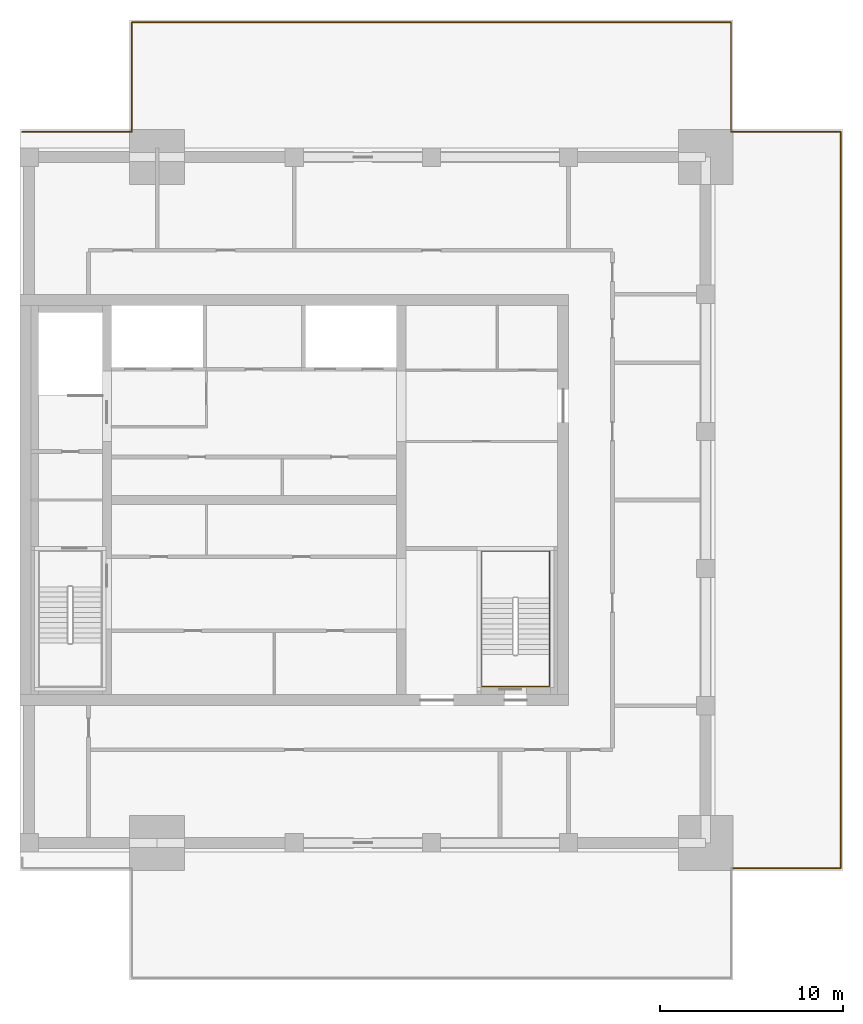
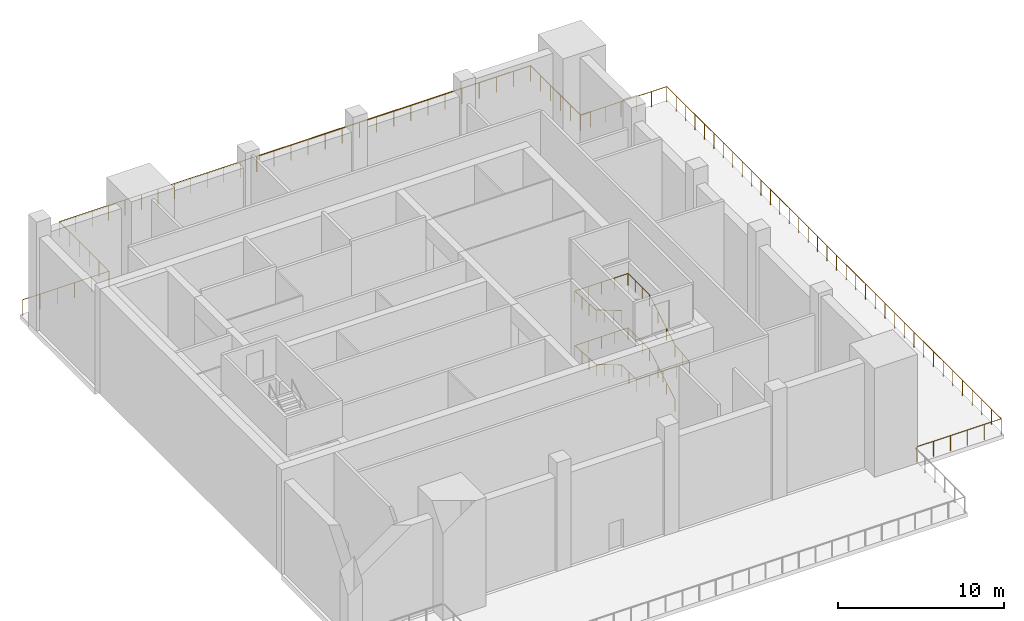
# One storey, part 7 of 7: 5 railings.
"""IFC4 building model written with IfcOpenShell, lengths in metres."""

from ifc_helpers import new_model, si_unit, direction, frame, origin, origin_2d, place, context, subcontext, project, spatial, circle, extrude, material, type_object, element, save


model = new_model("IFC4")

# Units and contexts
model_context = context("Model", 3, precision=1e-05, world=origin(), true_north=direction((0.0, 1.0)))
body_context = subcontext(model_context, "Body", "Model", "MODEL_VIEW")
ifc_project = project(units=[si_unit("LENGTHUNIT", "METRE"), si_unit("AREAUNIT", "SQUARE_METRE"), si_unit("VOLUMEUNIT", "CUBIC_METRE"), si_unit("PLANEANGLEUNIT", "RADIAN"), si_unit("MASSUNIT", "GRAM", prefix="KILO")], contexts=[model_context])

# Site, building, storey
site_placement = place(None, origin())
site = spatial("IfcSite", under=ifc_project, at=site_placement, CompositionType="ELEMENT")
building_placement = place(site_placement, origin())
building = spatial("IfcBuilding", under=site, at=building_placement, Name="Tamorin Gate", CompositionType="ELEMENT")
storey_placement = place(building_placement, frame((0.0, 0.0, 320.199951171875)))
storey = spatial("IfcBuildingStorey", under=building, at=storey_placement, Name="L78", CompositionType="ELEMENT", Elevation=320.199951171875)

# Railings
ifc_material_1 = material(Name="Painted steel handrail", Category="steel")
railing_type_1 = type_object("IfcRailingType", Name="Stair handrail 900", PredefinedType="HANDRAIL", material=ifc_material_1)
railing_1_placement = place(storey_placement, frame((58.949951171875, 62.800048828125, 0.166748046875)))
element("IfcRailing", 1, at=railing_1_placement, inside=storey, type_object=railing_type_1, Name="L78 ST3 stair handrail 1", PredefinedType="HANDRAIL", context=body_context, shape_type="SweptSolid", body=[
    extrude(circle(Radius=0.02392578125, at=origin_2d()), frame((0.0, 0.0, 0.8759765625), z_axis=(0.0, 0.859290745958, 0.51148745235), x_axis=(-1.0, 0.0, 0.0)), (0.0, 0.0, 1.0), 3.584228515625),
    extrude(circle(Radius=0.02392578125, at=origin_2d()), frame((0.0, 3.079833984375, 2.708984375), z_axis=(0.0, 1.0, 0.0), x_axis=(-1.0, 0.0, 0.0)), (0.0, 0.0, 1.0), 2.570068359375),
    extrude(circle(Radius=0.02392578125, at=origin_2d()), frame((0.0, 5.64990234375, 2.708984375), z_axis=(-1.0, 0.0, 0.0), x_axis=(0.0, -1.0, 0.0)), (0.0, 0.0, 1.0), 3.699951171875),
    extrude(circle(Radius=0.02392578125, at=origin_2d()), frame((-3.699951171875, 5.64990234375, 2.708984375), z_axis=(0.0, -0.9979018638, 0.06474465403), x_axis=(1.0, 0.0, 0.0)), (0.0, 0.0, 1.0), 2.575439453125),
    extrude(circle(Radius=0.02392578125, at=origin_2d()), frame((-3.699951171875, 3.079833984375, 2.8759765625), z_axis=(0.0, -0.859290745958, 0.51148745235), x_axis=(1.0, 0.0, 0.0)), (0.0, 0.0, 1.0), 3.584228515625),
    extrude(circle(Radius=0.02392578125, at=origin_2d()), frame((-3.699951171875, 0.0, 4.708984375), z_axis=(0.0, -1.0, 0.0), x_axis=(1.0, 0.0, 0.0)), (0.0, 0.0, 1.0), 1.75),
    extrude(circle(Radius=0.02392578125, at=origin_2d()), frame((-3.699951171875, -1.75, 4.708984375), z_axis=(1.0, 0.0, 0.0), x_axis=(0.0, 1.0, 0.0)), (0.0, 0.0, 1.0), 3.699951171875),
    extrude(circle(Radius=0.02392578125, at=origin_2d()), frame((0.0, -1.75, 4.708984375), z_axis=(0.0, 0.995491102282, 0.094854969707), x_axis=(-1.0, 0.0, 0.0)), (0.0, 0.0, 1.0), 1.7578125),
    extrude(circle(Radius=0.02392578125, at=origin_2d()), frame((0.0, 0.0, 4.8759765625), z_axis=(0.0, 0.859290745958, 0.51148745235), x_axis=(-1.0, 0.0, 0.0)), (0.0, 0.0, 1.0), 3.584228515625),
    extrude(circle(Radius=0.02392578125, at=origin_2d()), frame((0.0, 3.079833984375, 6.708984375), z_axis=(0.0, 1.0, 0.0), x_axis=(-1.0, 0.0, 0.0)), (0.0, 0.0, 1.0), 2.570068359375),
    extrude(circle(Radius=0.02392578125, at=origin_2d()), frame((0.0, 5.64990234375, 6.708984375), z_axis=(-1.0, 0.0, 0.0), x_axis=(0.0, -1.0, 0.0)), (0.0, 0.0, 1.0), 3.699951171875),
    extrude(circle(Radius=0.02392578125, at=origin_2d()), frame((-3.699951171875, 5.64990234375, 6.708984375), z_axis=(0.0, -0.9979018638, 0.06474465403), x_axis=(1.0, 0.0, 0.0)), (0.0, 0.0, 1.0), 2.575439453125),
    extrude(circle(Radius=0.02392578125, at=origin_2d()), frame((-3.699951171875, 3.079833984375, 6.8759765625), z_axis=(0.0, -0.859290745958, 0.51148745235), x_axis=(1.0, 0.0, 0.0)), (0.0, 0.0, 1.0), 3.584228515625),
    extrude(circle(Radius=0.02099609375, at=origin_2d()), origin(), (0.0, 0.0, 1.0), 0.851806640625),
    extrude(circle(Radius=0.02099609375, at=origin_2d()), frame((0.0, 1.026611328125, 0.611083984375)), (0.0, 0.0, 1.0), 0.851806640625),
    extrude(circle(Radius=0.02099609375, at=origin_2d()), frame((0.0, 2.05322265625, 1.22216796875)), (0.0, 0.0, 1.0), 0.851806640625),
    extrude(circle(Radius=0.02099609375, at=origin_2d()), frame((0.0, 3.079833984375, 1.833251953125)), (0.0, 0.0, 1.0), 0.851806640625),
    extrude(circle(Radius=0.02099609375, at=origin_2d()), frame((0.0, 3.9365234375, 1.833251953125)), (0.0, 0.0, 1.0), 0.851806640625),
    extrude(circle(Radius=0.02099609375, at=origin_2d()), frame((0.0, 4.793212890625, 1.833251953125)), (0.0, 0.0, 1.0), 0.851806640625),
    extrude(circle(Radius=0.02099609375, at=origin_2d()), frame((0.0, 5.64990234375, 1.833251953125)), (0.0, 0.0, 1.0), 0.851806640625),
    extrude(circle(Radius=0.02099609375, at=origin_2d()), frame((-0.925048828125, 5.64990234375, 1.833251953125)), (0.0, 0.0, 1.0), 0.851806640625),
    extrude(circle(Radius=0.02099609375, at=origin_2d()), frame((-1.85009765625, 5.64990234375, 1.833251953125)), (0.0, 0.0, 1.0), 0.851806640625),
    extrude(circle(Radius=0.02099609375, at=origin_2d()), frame((-2.77490234375, 5.64990234375, 1.833251953125)), (0.0, 0.0, 1.0), 0.851806640625),
    extrude(circle(Radius=0.02099609375, at=origin_2d()), frame((-3.699951171875, 5.64990234375, 1.833251953125)), (0.0, 0.0, 1.0), 0.851806640625),
    extrude(circle(Radius=0.02099609375, at=origin_2d()), frame((-3.699951171875, 4.793212890625, 1.888916015625)), (0.0, 0.0, 1.0), 0.851806640625),
    extrude(circle(Radius=0.02099609375, at=origin_2d()), frame((-3.699951171875, 3.9365234375, 1.9443359375)), (0.0, 0.0, 1.0), 0.851806640625),
    extrude(circle(Radius=0.02099609375, at=origin_2d()), frame((-3.699951171875, 3.079833984375, 2.0)), (0.0, 0.0, 1.0), 0.851806640625),
    extrude(circle(Radius=0.02099609375, at=origin_2d()), frame((-3.699951171875, 2.05322265625, 2.611083984375)), (0.0, 0.0, 1.0), 0.851806640625),
    extrude(circle(Radius=0.02099609375, at=origin_2d()), frame((-3.699951171875, 1.026611328125, 3.22216796875)), (0.0, 0.0, 1.0), 0.851806640625),
    extrude(circle(Radius=0.02099609375, at=origin_2d()), frame((-3.699951171875, 0.0, 3.833251953125)), (0.0, 0.0, 1.0), 0.851806640625),
    extrude(circle(Radius=0.02099609375, at=origin_2d()), frame((-3.699951171875, -0.875, 3.833251953125)), (0.0, 0.0, 1.0), 0.851806640625),
    extrude(circle(Radius=0.02099609375, at=origin_2d()), frame((-3.699951171875, -1.75, 3.833251953125)), (0.0, 0.0, 1.0), 0.851806640625),
    extrude(circle(Radius=0.02099609375, at=origin_2d()), frame((-2.77490234375, -1.75, 3.833251953125)), (0.0, 0.0, 1.0), 0.851806640625),
    extrude(circle(Radius=0.02099609375, at=origin_2d()), frame((-1.85009765625, -1.75, 3.833251953125)), (0.0, 0.0, 1.0), 0.851806640625),
    extrude(circle(Radius=0.02099609375, at=origin_2d()), frame((-0.925048828125, -1.75, 3.833251953125)), (0.0, 0.0, 1.0), 0.851806640625),
    extrude(circle(Radius=0.02099609375, at=origin_2d()), frame((0.0, -1.75, 3.833251953125)), (0.0, 0.0, 1.0), 0.851806640625),
    extrude(circle(Radius=0.02099609375, at=origin_2d()), frame((0.0, -0.875, 3.91650390625)), (0.0, 0.0, 1.0), 0.851806640625),
    extrude(circle(Radius=0.02099609375, at=origin_2d()), frame((0.0, 0.0, 4.0)), (0.0, 0.0, 1.0), 0.851806640625),
    extrude(circle(Radius=0.02099609375, at=origin_2d()), frame((0.0, 1.026611328125, 4.611083984375)), (0.0, 0.0, 1.0), 0.851806640625),
    extrude(circle(Radius=0.02099609375, at=origin_2d()), frame((0.0, 2.05322265625, 5.22216796875)), (0.0, 0.0, 1.0), 0.851806640625),
    extrude(circle(Radius=0.02099609375, at=origin_2d()), frame((0.0, 3.079833984375, 5.833251953125)), (0.0, 0.0, 1.0), 0.851806640625),
    extrude(circle(Radius=0.02099609375, at=origin_2d()), frame((0.0, 3.9365234375, 5.833251953125)), (0.0, 0.0, 1.0), 0.851806640625),
    extrude(circle(Radius=0.02099609375, at=origin_2d()), frame((0.0, 4.793212890625, 5.833251953125)), (0.0, 0.0, 1.0), 0.851806640625),
    extrude(circle(Radius=0.02099609375, at=origin_2d()), frame((0.0, 5.64990234375, 5.833251953125)), (0.0, 0.0, 1.0), 0.851806640625),
    extrude(circle(Radius=0.02099609375, at=origin_2d()), frame((-0.925048828125, 5.64990234375, 5.833251953125)), (0.0, 0.0, 1.0), 0.851806640625),
    extrude(circle(Radius=0.02099609375, at=origin_2d()), frame((-1.85009765625, 5.64990234375, 5.833251953125)), (0.0, 0.0, 1.0), 0.851806640625),
    extrude(circle(Radius=0.02099609375, at=origin_2d()), frame((-2.77490234375, 5.64990234375, 5.833251953125)), (0.0, 0.0, 1.0), 0.851806640625),
    extrude(circle(Radius=0.02099609375, at=origin_2d()), frame((-3.699951171875, 5.64990234375, 5.833251953125)), (0.0, 0.0, 1.0), 0.851806640625),
    extrude(circle(Radius=0.02099609375, at=origin_2d()), frame((-3.699951171875, 4.793212890625, 5.888916015625)), (0.0, 0.0, 1.0), 0.851806640625),
    extrude(circle(Radius=0.02099609375, at=origin_2d()), frame((-3.699951171875, 3.9365234375, 5.9443359375)), (0.0, 0.0, 1.0), 0.851806640625),
    extrude(circle(Radius=0.02099609375, at=origin_2d()), frame((-3.699951171875, 3.079833984375, 6.0)), (0.0, 0.0, 1.0), 0.851806640625),
    extrude(circle(Radius=0.02099609375, at=origin_2d()), frame((-3.699951171875, 2.05322265625, 6.611083984375)), (0.0, 0.0, 1.0), 0.851806640625),
    extrude(circle(Radius=0.02099609375, at=origin_2d()), frame((-3.699951171875, 1.026611328125, 7.22216796875)), (0.0, 0.0, 1.0), 0.851806640625),
    extrude(circle(Radius=0.02099609375, at=origin_2d()), frame((-3.699951171875, 0.0, 7.833251953125)), (0.0, 0.0, 1.0), 0.851806640625),
])
ifc_material_2 = material(Name="Stainless steel", Category="steel")
railing_type_2 = type_object("IfcRailingType", Name="Terrace guard 1150", PredefinedType="GUARDRAIL", material=ifc_material_2)
railing_2_placement = place(storey_placement, frame((30.1201171875, 91.3798828125, 0.0)))
element("IfcRailing", 2, at=railing_2_placement, inside=storey, type_object=railing_type_2, Name="Terrace guard", PredefinedType="GUARDRAIL", context=body_context, shape_type="SweptSolid", body=[
    extrude(circle(Radius=0.02392578125, at=origin_2d()), frame((0.0, 0.0, 1.1259765625), z_axis=(1.0, 0.0, 0.0), x_axis=(0.0, 1.0, 0.0)), (0.0, 0.0, 1.0), 6.0),
    extrude(circle(Radius=0.02392578125, at=origin_2d()), frame((6.0, 0.0, 1.1259765625), z_axis=(0.0, 1.0, 0.0), x_axis=(-1.0, 0.0, 0.0)), (0.0, 0.0, 1.0), 6.0),
    extrude(circle(Radius=0.02392578125, at=origin_2d()), frame((6.0, 6.0, 1.1259765625), z_axis=(1.0, 0.0, 0.0), x_axis=(0.0, 1.0, 0.0)), (0.0, 0.0, 1.0), 13.7265625),
    extrude(circle(Radius=0.02099609375, at=origin_2d()), origin(), (0.0, 0.0, 1.0), 1.101806640625),
    extrude(circle(Radius=0.02099609375, at=origin_2d()), frame((1.199951171875, 0.0, 0.0)), (0.0, 0.0, 1.0), 1.101806640625),
    extrude(circle(Radius=0.02099609375, at=origin_2d()), frame((2.39990234375, 0.0, 0.0)), (0.0, 0.0, 1.0), 1.101806640625),
    extrude(circle(Radius=0.02099609375, at=origin_2d()), frame((3.60009765625, 0.0, 0.0)), (0.0, 0.0, 1.0), 1.101806640625),
    extrude(circle(Radius=0.02099609375, at=origin_2d()), frame((4.800048828125, 0.0, 0.0)), (0.0, 0.0, 1.0), 1.101806640625),
    extrude(circle(Radius=0.02099609375, at=origin_2d()), frame((6.0, 0.0, 0.0)), (0.0, 0.0, 1.0), 1.101806640625),
    extrude(circle(Radius=0.02099609375, at=origin_2d()), frame((6.0, 1.199951171875, 0.0)), (0.0, 0.0, 1.0), 1.101806640625),
    extrude(circle(Radius=0.02099609375, at=origin_2d()), frame((6.0, 2.39990234375, 0.0)), (0.0, 0.0, 1.0), 1.101806640625),
    extrude(circle(Radius=0.02099609375, at=origin_2d()), frame((6.0, 3.60009765625, 0.0)), (0.0, 0.0, 1.0), 1.101806640625),
    extrude(circle(Radius=0.02099609375, at=origin_2d()), frame((6.0, 4.800048828125, 0.0)), (0.0, 0.0, 1.0), 1.101806640625),
    extrude(circle(Radius=0.02099609375, at=origin_2d()), frame((6.0, 6.0, 0.0)), (0.0, 0.0, 1.0), 1.101806640625),
    extrude(circle(Radius=0.02099609375, at=origin_2d()), frame((7.143798828125, 6.0, 0.0)), (0.0, 0.0, 1.0), 1.101806640625),
    extrude(circle(Radius=0.02099609375, at=origin_2d()), frame((8.287841796875, 6.0, 0.0)), (0.0, 0.0, 1.0), 1.101806640625),
    extrude(circle(Radius=0.02099609375, at=origin_2d()), frame((9.431640625, 6.0, 0.0)), (0.0, 0.0, 1.0), 1.101806640625),
    extrude(circle(Radius=0.02099609375, at=origin_2d()), frame((10.575439453125, 6.0, 0.0)), (0.0, 0.0, 1.0), 1.101806640625),
    extrude(circle(Radius=0.02099609375, at=origin_2d()), frame((11.719482421875, 6.0, 0.0)), (0.0, 0.0, 1.0), 1.101806640625),
    extrude(circle(Radius=0.02099609375, at=origin_2d()), frame((12.86328125, 6.0, 0.0)), (0.0, 0.0, 1.0), 1.101806640625),
    extrude(circle(Radius=0.02099609375, at=origin_2d()), frame((14.007080078125, 6.0, 0.0)), (0.0, 0.0, 1.0), 1.101806640625),
    extrude(circle(Radius=0.02099609375, at=origin_2d()), frame((15.151123046875, 6.0, 0.0)), (0.0, 0.0, 1.0), 1.101806640625),
    extrude(circle(Radius=0.02099609375, at=origin_2d()), frame((16.294921875, 6.0, 0.0)), (0.0, 0.0, 1.0), 1.101806640625),
    extrude(circle(Radius=0.02099609375, at=origin_2d()), frame((17.438720703125, 6.0, 0.0)), (0.0, 0.0, 1.0), 1.101806640625),
    extrude(circle(Radius=0.02099609375, at=origin_2d()), frame((18.582763671875, 6.0, 0.0)), (0.0, 0.0, 1.0), 1.101806640625),
    extrude(circle(Radius=0.02099609375, at=origin_2d()), frame((19.7265625, 6.0, 0.0)), (0.0, 0.0, 1.0), 1.101806640625),
])
railing_3_placement = place(storey_placement, frame((49.8466796875, 97.3798828125, 0.0)))
element("IfcRailing", 3, at=railing_3_placement, inside=storey, type_object=railing_type_2, Name="Terrace guard", PredefinedType="GUARDRAIL", context=body_context, shape_type="SweptSolid", body=[
    extrude(circle(Radius=0.02392578125, at=origin_2d()), frame((0.0, 0.0, 1.1259765625), z_axis=(1.0, 0.0, 0.0), x_axis=(0.0, 1.0, 0.0)), (0.0, 0.0, 1.0), 19.033203125),
    extrude(circle(Radius=0.02392578125, at=origin_2d()), frame((19.033203125, 0.0, 1.1259765625), z_axis=(0.0, -1.0, 0.0), x_axis=(1.0, 0.0, 0.0)), (0.0, 0.0, 1.0), 6.0),
    extrude(circle(Radius=0.02392578125, at=origin_2d()), frame((19.033203125, -6.0, 1.1259765625), z_axis=(1.0, 0.0, 0.0), x_axis=(0.0, 1.0, 0.0)), (0.0, 0.0, 1.0), 0.693359375),
    extrude(circle(Radius=0.02099609375, at=origin_2d()), origin(), (0.0, 0.0, 1.0), 1.101806640625),
    extrude(circle(Radius=0.02099609375, at=origin_2d()), frame((1.189453125, 0.0, 0.0)), (0.0, 0.0, 1.0), 1.101806640625),
    extrude(circle(Radius=0.02099609375, at=origin_2d()), frame((2.379150390625, 0.0, 0.0)), (0.0, 0.0, 1.0), 1.101806640625),
    extrude(circle(Radius=0.02099609375, at=origin_2d()), frame((3.56884765625, 0.0, 0.0)), (0.0, 0.0, 1.0), 1.101806640625),
    extrude(circle(Radius=0.02099609375, at=origin_2d()), frame((4.75830078125, 0.0, 0.0)), (0.0, 0.0, 1.0), 1.101806640625),
    extrude(circle(Radius=0.02099609375, at=origin_2d()), frame((5.94775390625, 0.0, 0.0)), (0.0, 0.0, 1.0), 1.101806640625),
    extrude(circle(Radius=0.02099609375, at=origin_2d()), frame((7.137451171875, 0.0, 0.0)), (0.0, 0.0, 1.0), 1.101806640625),
    extrude(circle(Radius=0.02099609375, at=origin_2d()), frame((8.3271484375, 0.0, 0.0)), (0.0, 0.0, 1.0), 1.101806640625),
    extrude(circle(Radius=0.02099609375, at=origin_2d()), frame((9.5166015625, 0.0, 0.0)), (0.0, 0.0, 1.0), 1.101806640625),
    extrude(circle(Radius=0.02099609375, at=origin_2d()), frame((10.7060546875, 0.0, 0.0)), (0.0, 0.0, 1.0), 1.101806640625),
    extrude(circle(Radius=0.02099609375, at=origin_2d()), frame((11.895751953125, 0.0, 0.0)), (0.0, 0.0, 1.0), 1.101806640625),
    extrude(circle(Radius=0.02099609375, at=origin_2d()), frame((13.08544921875, 0.0, 0.0)), (0.0, 0.0, 1.0), 1.101806640625),
    extrude(circle(Radius=0.02099609375, at=origin_2d()), frame((14.27490234375, 0.0, 0.0)), (0.0, 0.0, 1.0), 1.101806640625),
    extrude(circle(Radius=0.02099609375, at=origin_2d()), frame((15.46435546875, 0.0, 0.0)), (0.0, 0.0, 1.0), 1.101806640625),
    extrude(circle(Radius=0.02099609375, at=origin_2d()), frame((16.654052734375, 0.0, 0.0)), (0.0, 0.0, 1.0), 1.101806640625),
    extrude(circle(Radius=0.02099609375, at=origin_2d()), frame((17.84375, 0.0, 0.0)), (0.0, 0.0, 1.0), 1.101806640625),
    extrude(circle(Radius=0.02099609375, at=origin_2d()), frame((19.033203125, 0.0, 0.0)), (0.0, 0.0, 1.0), 1.101806640625),
    extrude(circle(Radius=0.02099609375, at=origin_2d()), frame((19.033203125, -1.199951171875, 0.0)), (0.0, 0.0, 1.0), 1.101806640625),
    extrude(circle(Radius=0.02099609375, at=origin_2d()), frame((19.033203125, -2.39990234375, 0.0)), (0.0, 0.0, 1.0), 1.101806640625),
    extrude(circle(Radius=0.02099609375, at=origin_2d()), frame((19.033203125, -3.60009765625, 0.0)), (0.0, 0.0, 1.0), 1.101806640625),
    extrude(circle(Radius=0.02099609375, at=origin_2d()), frame((19.033203125, -4.800048828125, 0.0)), (0.0, 0.0, 1.0), 1.101806640625),
    extrude(circle(Radius=0.02099609375, at=origin_2d()), frame((19.033203125, -6.0, 0.0)), (0.0, 0.0, 1.0), 1.101806640625),
    extrude(circle(Radius=0.02099609375, at=origin_2d()), frame((19.7265625, -6.0, 0.0)), (0.0, 0.0, 1.0), 1.101806640625),
])
railing_4_placement = place(storey_placement, frame((69.5732421875, 91.3798828125, 0.0)))
element("IfcRailing", 4, at=railing_4_placement, inside=storey, type_object=railing_type_2, Name="Terrace guard", PredefinedType="GUARDRAIL", context=body_context, shape_type="SweptSolid", body=[
    extrude(circle(Radius=0.02392578125, at=origin_2d()), frame((0.0, 0.0, 1.1259765625), z_axis=(1.0, 0.0, 0.0), x_axis=(0.0, 1.0, 0.0)), (0.0, 0.0, 1.0), 5.306640625),
    extrude(circle(Radius=0.02392578125, at=origin_2d()), frame((5.306640625, 0.0, 1.1259765625), z_axis=(0.0, -1.0, 0.0), x_axis=(1.0, 0.0, 0.0)), (0.0, 0.0, 1.0), 20.419921875),
    extrude(circle(Radius=0.02099609375, at=origin_2d()), origin(), (0.0, 0.0, 1.0), 1.101806640625),
    extrude(circle(Radius=0.02099609375, at=origin_2d()), frame((1.061279296875, 0.0, 0.0)), (0.0, 0.0, 1.0), 1.101806640625),
    extrude(circle(Radius=0.02099609375, at=origin_2d()), frame((2.12255859375, 0.0, 0.0)), (0.0, 0.0, 1.0), 1.101806640625),
    extrude(circle(Radius=0.02099609375, at=origin_2d()), frame((3.18408203125, 0.0, 0.0)), (0.0, 0.0, 1.0), 1.101806640625),
    extrude(circle(Radius=0.02099609375, at=origin_2d()), frame((4.245361328125, 0.0, 0.0)), (0.0, 0.0, 1.0), 1.101806640625),
    extrude(circle(Radius=0.02099609375, at=origin_2d()), frame((5.306640625, 0.0, 0.0)), (0.0, 0.0, 1.0), 1.101806640625),
    extrude(circle(Radius=0.02099609375, at=origin_2d()), frame((5.306640625, -1.134521484375, 0.0)), (0.0, 0.0, 1.0), 1.101806640625),
    extrude(circle(Radius=0.02099609375, at=origin_2d()), frame((5.306640625, -2.268798828125, 0.0)), (0.0, 0.0, 1.0), 1.101806640625),
    extrude(circle(Radius=0.02099609375, at=origin_2d()), frame((5.306640625, -3.4033203125, 0.0)), (0.0, 0.0, 1.0), 1.101806640625),
    extrude(circle(Radius=0.02099609375, at=origin_2d()), frame((5.306640625, -4.537841796875, 0.0)), (0.0, 0.0, 1.0), 1.101806640625),
    extrude(circle(Radius=0.02099609375, at=origin_2d()), frame((5.306640625, -5.672119140625, 0.0)), (0.0, 0.0, 1.0), 1.101806640625),
    extrude(circle(Radius=0.02099609375, at=origin_2d()), frame((5.306640625, -6.806640625, 0.0)), (0.0, 0.0, 1.0), 1.101806640625),
    extrude(circle(Radius=0.02099609375, at=origin_2d()), frame((5.306640625, -7.941162109375, 0.0)), (0.0, 0.0, 1.0), 1.101806640625),
    extrude(circle(Radius=0.02099609375, at=origin_2d()), frame((5.306640625, -9.075439453125, 0.0)), (0.0, 0.0, 1.0), 1.101806640625),
    extrude(circle(Radius=0.02099609375, at=origin_2d()), frame((5.306640625, -10.2099609375, 0.0)), (0.0, 0.0, 1.0), 1.101806640625),
    extrude(circle(Radius=0.02099609375, at=origin_2d()), frame((5.306640625, -11.344482421875, 0.0)), (0.0, 0.0, 1.0), 1.101806640625),
    extrude(circle(Radius=0.02099609375, at=origin_2d()), frame((5.306640625, -12.478759765625, 0.0)), (0.0, 0.0, 1.0), 1.101806640625),
    extrude(circle(Radius=0.02099609375, at=origin_2d()), frame((5.306640625, -13.61328125, 0.0)), (0.0, 0.0, 1.0), 1.101806640625),
    extrude(circle(Radius=0.02099609375, at=origin_2d()), frame((5.306640625, -14.747802734375, 0.0)), (0.0, 0.0, 1.0), 1.101806640625),
    extrude(circle(Radius=0.02099609375, at=origin_2d()), frame((5.306640625, -15.882080078125, 0.0)), (0.0, 0.0, 1.0), 1.101806640625),
    extrude(circle(Radius=0.02099609375, at=origin_2d()), frame((5.306640625, -17.0166015625, 0.0)), (0.0, 0.0, 1.0), 1.101806640625),
    extrude(circle(Radius=0.02099609375, at=origin_2d()), frame((5.306640625, -18.151123046875, 0.0)), (0.0, 0.0, 1.0), 1.101806640625),
    extrude(circle(Radius=0.02099609375, at=origin_2d()), frame((5.306640625, -19.285400390625, 0.0)), (0.0, 0.0, 1.0), 1.101806640625),
    extrude(circle(Radius=0.02099609375, at=origin_2d()), frame((5.306640625, -20.419921875, 0.0)), (0.0, 0.0, 1.0), 1.101806640625),
])
railing_5_placement = place(storey_placement, frame((74.8798828125, 70.9599609375, 0.0)))
element("IfcRailing", 5, at=railing_5_placement, inside=storey, type_object=railing_type_2, Name="Terrace guard", PredefinedType="GUARDRAIL", context=body_context, shape_type="SweptSolid", body=[
    extrude(circle(Radius=0.02392578125, at=origin_2d()), frame((0.0, 0.0, 1.1259765625), z_axis=(0.0, -1.0, 0.0), x_axis=(1.0, 0.0, 0.0)), (0.0, 0.0, 1.0), 19.83984375),
    extrude(circle(Radius=0.02392578125, at=origin_2d()), frame((0.0, -19.83984375, 1.1259765625), z_axis=(-1.0, 0.0, 0.0), x_axis=(0.0, -1.0, 0.0)), (0.0, 0.0, 1.0), 5.886474609375),
    extrude(circle(Radius=0.02099609375, at=origin_2d()), origin(), (0.0, 0.0, 1.0), 1.101806640625),
    extrude(circle(Radius=0.02099609375, at=origin_2d()), frame((0.0, -1.1669921875, 0.0)), (0.0, 0.0, 1.0), 1.101806640625),
    extrude(circle(Radius=0.02099609375, at=origin_2d()), frame((0.0, -2.333984375, 0.0)), (0.0, 0.0, 1.0), 1.101806640625),
    extrude(circle(Radius=0.02099609375, at=origin_2d()), frame((0.0, -3.501220703125, 0.0)), (0.0, 0.0, 1.0), 1.101806640625),
    extrude(circle(Radius=0.02099609375, at=origin_2d()), frame((0.0, -4.668212890625, 0.0)), (0.0, 0.0, 1.0), 1.101806640625),
    extrude(circle(Radius=0.02099609375, at=origin_2d()), frame((0.0, -5.835205078125, 0.0)), (0.0, 0.0, 1.0), 1.101806640625),
    extrude(circle(Radius=0.02099609375, at=origin_2d()), frame((0.0, -7.002197265625, 0.0)), (0.0, 0.0, 1.0), 1.101806640625),
    extrude(circle(Radius=0.02099609375, at=origin_2d()), frame((0.0, -8.16943359375, 0.0)), (0.0, 0.0, 1.0), 1.101806640625),
    extrude(circle(Radius=0.02099609375, at=origin_2d()), frame((0.0, -9.33642578125, 0.0)), (0.0, 0.0, 1.0), 1.101806640625),
    extrude(circle(Radius=0.02099609375, at=origin_2d()), frame((0.0, -10.50341796875, 0.0)), (0.0, 0.0, 1.0), 1.101806640625),
    extrude(circle(Radius=0.02099609375, at=origin_2d()), frame((0.0, -11.67041015625, 0.0)), (0.0, 0.0, 1.0), 1.101806640625),
    extrude(circle(Radius=0.02099609375, at=origin_2d()), frame((0.0, -12.837646484375, 0.0)), (0.0, 0.0, 1.0), 1.101806640625),
    extrude(circle(Radius=0.02099609375, at=origin_2d()), frame((0.0, -14.004638671875, 0.0)), (0.0, 0.0, 1.0), 1.101806640625),
    extrude(circle(Radius=0.02099609375, at=origin_2d()), frame((0.0, -15.171630859375, 0.0)), (0.0, 0.0, 1.0), 1.101806640625),
    extrude(circle(Radius=0.02099609375, at=origin_2d()), frame((0.0, -16.338623046875, 0.0)), (0.0, 0.0, 1.0), 1.101806640625),
    extrude(circle(Radius=0.02099609375, at=origin_2d()), frame((0.0, -17.505859375, 0.0)), (0.0, 0.0, 1.0), 1.101806640625),
    extrude(circle(Radius=0.02099609375, at=origin_2d()), frame((0.0, -18.6728515625, 0.0)), (0.0, 0.0, 1.0), 1.101806640625),
    extrude(circle(Radius=0.02099609375, at=origin_2d()), frame((0.0, -19.83984375, 0.0)), (0.0, 0.0, 1.0), 1.101806640625),
    extrude(circle(Radius=0.02099609375, at=origin_2d()), frame((-1.17724609375, -19.83984375, 0.0)), (0.0, 0.0, 1.0), 1.101806640625),
    extrude(circle(Radius=0.02099609375, at=origin_2d()), frame((-2.3544921875, -19.83984375, 0.0)), (0.0, 0.0, 1.0), 1.101806640625),
    extrude(circle(Radius=0.02099609375, at=origin_2d()), frame((-3.531982421875, -19.83984375, 0.0)), (0.0, 0.0, 1.0), 1.101806640625),
    extrude(circle(Radius=0.02099609375, at=origin_2d()), frame((-4.709228515625, -19.83984375, 0.0)), (0.0, 0.0, 1.0), 1.101806640625),
    extrude(circle(Radius=0.02099609375, at=origin_2d()), frame((-5.886474609375, -19.83984375, 0.0)), (0.0, 0.0, 1.0), 1.101806640625),
])

save(model, "model.ifc")
